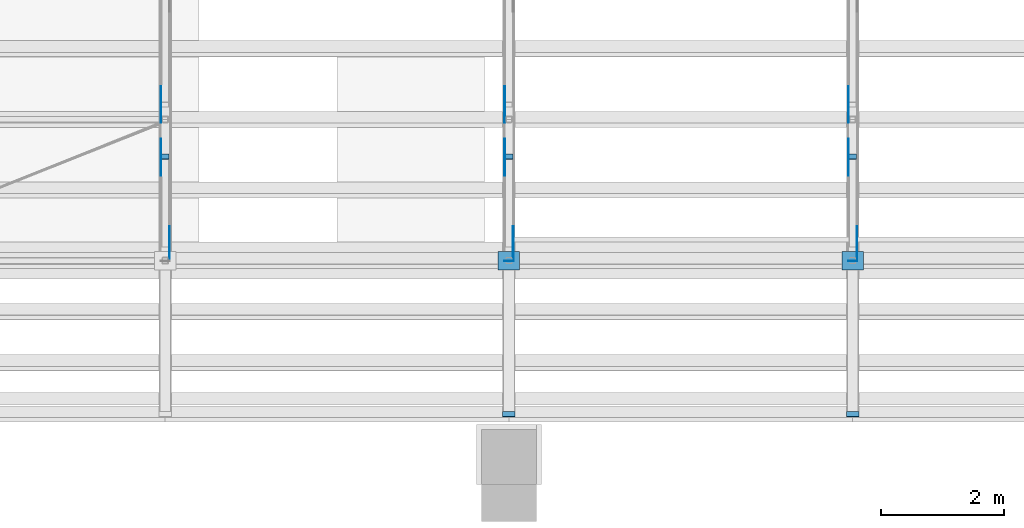
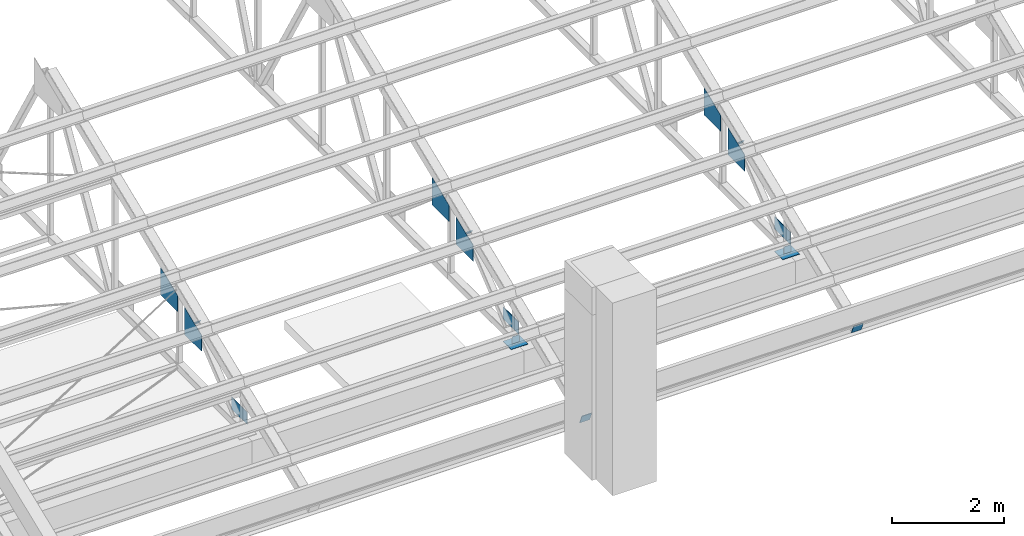
# One storey, part 52 of 71: 18 discrete accessories.
"""IFC4 building model written with IfcOpenShell, lengths in metres."""

import ifcopenshell
import ifcopenshell.guid

model = None  # the IFC model being written
_history = None  # IfcOwnerHistory: only IFC2X3 demands one
_inside = {}  # id of a spatial element -> (the spatial element, [elements in it])
_under = {}  # id of a project, library or spatial element -> (it, [spatial elements below it])
_declared = {}  # id of a project -> (the project, [libraries it declares])
_typed = {}  # id of a type object -> (the type object, [elements of that type])
_made_of = {}  # id of a material, layer set ... -> (it, [elements and type objects made of it])


def new_model(schema):
    """Start an empty IFC model of exactly this schema.

    Asked for "IFC4X3", IfcOpenShell would pick the latest addendum, in which some entities
    have other attributes; the version numbers below select the first issue.
    IFC2X3 requires an IfcOwnerHistory on every rooted entity: one is made here for all.
    """
    global model, _history
    if schema == "IFC4X3":
        model = ifcopenshell.file(schema_version=(4, 3, 0, 0))
    else:
        model = ifcopenshell.file(schema=schema)
    _inside.clear()
    _under.clear()
    _declared.clear()
    _typed.clear()
    _made_of.clear()
    _history = None
    if model.schema == "IFC2X3":
        org = make("IfcOrganization", Name="unknown")
        user = make(
            "IfcPersonAndOrganization",
            ThePerson=make("IfcPerson", FamilyName="unknown"),
            TheOrganization=org,
        )
        app = make(
            "IfcApplication",
            ApplicationDeveloper=org,
            Version="unknown",
            ApplicationFullName="unknown",
            ApplicationIdentifier="unknown",
        )
        _history = make(
            "IfcOwnerHistory",
            OwningUser=user,
            OwningApplication=app,
            ChangeAction="ADDED",
            CreationDate=0,
        )
    return model


def make(cls, **values):
    """One entity of the class cls with the attributes given. An attribute that is None is left unset."""
    return model.create_entity(
        cls, **{name: value for name, value in values.items() if value is not None}
    )


def rooted(cls, **values):
    """An entity with a GlobalId (a new one), such as an element, a storey or a relation."""
    return make(cls, GlobalId=ifcopenshell.guid.new(), OwnerHistory=_history, **values)


def si_unit(unit_type, name, prefix=None):
    """IfcSIUnit, for example si_unit("LENGTHUNIT", "METRE", prefix="MILLI")."""
    return make("IfcSIUnit", UnitType=unit_type, Prefix=prefix, Name=name)


def assignment(units):
    """IfcUnitAssignment: the units of a project."""
    return None if units is None else make("IfcUnitAssignment", Units=units)


def point(xyz):
    """IfcCartesianPoint."""
    return None if xyz is None else make("IfcCartesianPoint", Coordinates=xyz)


def direction(xyz):
    """IfcDirection."""
    return None if xyz is None else make("IfcDirection", DirectionRatios=xyz)


def frame(location, z_axis=None, x_axis=None):
    """IfcAxis2Placement3D, a coordinate frame: its origin and axes. An axis left out is left unset."""
    return make(
        "IfcAxis2Placement3D",
        Location=point(location),
        Axis=direction(z_axis),
        RefDirection=direction(x_axis),
    )


def frame_2d(location, x_axis=None):
    """IfcAxis2Placement2D, a coordinate frame in the plane: its origin and x axis."""
    return make(
        "IfcAxis2Placement2D", Location=point(location), RefDirection=direction(x_axis)
    )


def origin():
    """The frame at (0, 0, 0) with its axes left unset."""
    return frame((0.0, 0.0, 0.0))


def origin_2d():
    """The frame at (0, 0) in the plane with its x axis left unset."""
    return frame_2d((0.0, 0.0))


def place(relative_to, where):
    """IfcLocalPlacement: puts the frame where relative to a parent placement (None: the world)."""
    return make(
        "IfcLocalPlacement", PlacementRelTo=relative_to, RelativePlacement=where
    )


def context(
    kind, dimensions, precision=None, world=None, true_north=None, identifier=None
):
    """IfcGeometricRepresentationContext, for example the 3D "Model" context."""
    return make(
        "IfcGeometricRepresentationContext",
        ContextIdentifier=identifier,
        ContextType=kind,
        CoordinateSpaceDimension=dimensions,
        Precision=precision,
        WorldCoordinateSystem=world,
        TrueNorth=true_north,
    )


def subcontext(parent, identifier, kind, view, scale=None):
    """IfcGeometricRepresentationSubContext, for example "Body" below "Model"."""
    return make(
        "IfcGeometricRepresentationSubContext",
        ContextIdentifier=identifier,
        ContextType=kind,
        ParentContext=parent,
        TargetScale=scale,
        TargetView=view,
    )


def project(units=None, contexts=None):
    """IfcProject with its units and contexts."""
    return rooted(
        "IfcProject",
        Name="project",
        RepresentationContexts=contexts,
        UnitsInContext=assignment(units),
    )


def spatial(cls, under=None, at=None, **own):
    """A site, building, storey or space (cls), placed at a placement, below another one or the project."""
    s = rooted(cls, ObjectPlacement=at, **own)
    if under is not None:
        _under.setdefault(under.id(), (under, []))[1].append(s)
    return s


def polyline(points):
    """IfcPolyline through the points."""
    return make("IfcPolyline", Points=[point(p) for p in points])


def profile(cls, at=None, kind="AREA", **sizes):
    """A parametric profile (cls). Its sizes go by their IFC names, for example OverallWidth=200.0."""
    return make(cls, ProfileType=kind, Position=at, **sizes)


def rectangle(**sizes):
    """IfcRectangleProfileDef."""
    return profile("IfcRectangleProfileDef", **sizes)


def outline(outer, holes=None, kind="AREA"):
    """IfcArbitraryClosedProfileDef: a profile drawn as a closed curve; with holes, ...WithVoids."""
    if holes is None:
        return make("IfcArbitraryClosedProfileDef", ProfileType=kind, OuterCurve=outer)
    return make(
        "IfcArbitraryProfileDefWithVoids",
        ProfileType=kind,
        OuterCurve=outer,
        InnerCurves=holes,
    )


def extrude(swept, where, along, depth):
    """IfcExtrudedAreaSolid: the profile swept, set in the frame where, extruded along a direction by depth."""
    return make(
        "IfcExtrudedAreaSolid",
        SweptArea=swept,
        Position=where,
        ExtrudedDirection=direction(along),
        Depth=depth,
    )


def shape(context_of_items, identifier, shape_type, items):
    """IfcShapeRepresentation: the items that make up one representation, for example the "Body"."""
    return make(
        "IfcShapeRepresentation",
        ContextOfItems=context_of_items,
        RepresentationIdentifier=identifier,
        RepresentationType=shape_type,
        Items=items,
    )


def made_of(thing, what):
    """Note that an element or type object is made of a material, layer set ...; save() writes the relation."""
    if what is not None:
        _made_of.setdefault(what.id(), (what, []))[1].append(thing)
    return thing


def element(
    cls,
    number,
    at=None,
    inside=None,
    cuts=None,
    type_object=None,
    material=None,
    context=None,
    identifier="Body",
    shape_type=None,
    held_by="IfcProductDefinitionShape",
    body=None,
    shapes=None,
    **own,
):
    """One element of the class cls, such as IfcWall. Its Tag is "e" and its number.

    at: its placement. inside: the storey or other place that contains it. cuts: it is an
    opening in that element (IfcRelVoidsElement). A single representation is given by context,
    identifier, shape_type and body (its items); several are given by shapes. held_by: the class
    of the entity that holds the representations. save() writes the other relations.
    """
    e = rooted(cls, Tag="e%d" % number, ObjectPlacement=at, **own)
    if body is not None:
        shapes = [shape(context, identifier, shape_type, body)]
    if shapes is not None:
        e.Representation = make(held_by, Representations=shapes)
    if inside is not None:
        _inside.setdefault(inside.id(), (inside, []))[1].append(e)
    if cuts is not None:
        rooted(
            "IfcRelVoidsElement", RelatingBuildingElement=cuts, RelatedOpeningElement=e
        )
    if type_object is not None:
        _typed.setdefault(type_object.id(), (type_object, []))[1].append(e)
    return made_of(e, material)


def aggregate(whole, parts):
    """IfcRelAggregates: a whole, such as a stair, and the parts it consists of."""
    return rooted("IfcRelAggregates", RelatingObject=whole, RelatedObjects=parts)


def save(model, path):
    """Write the relations noted so far, then the file.

    IfcRelAggregates (storeys below a building ...), IfcRelContainedInSpatialStructure (elements
    in a storey), IfcRelDefinesByType, IfcRelAssociatesMaterial and IfcRelDeclares: one each for
    every whole, place, type object, material and project.
    """
    for whole, parts in _under.values():
        aggregate(whole, parts)
    for where, things in _inside.values():
        rooted(
            "IfcRelContainedInSpatialStructure",
            RelatedElements=things,
            RelatingStructure=where,
        )
    for kind, things in _typed.values():
        rooted("IfcRelDefinesByType", RelatedObjects=things, RelatingType=kind)
    for what, things in _made_of.values():
        rooted("IfcRelAssociatesMaterial", RelatedObjects=things, RelatingMaterial=what)
    for by, libraries in _declared.values():
        rooted("IfcRelDeclares", RelatingContext=by, RelatedDefinitions=libraries)
    model.write(path)


model = new_model("IFC4")

# Units and contexts
model_context = context("Model", 3, precision=1e-05, world=origin(), true_north=direction((0.0, 1.0)))
body_context = subcontext(model_context, "Body", "Model", "MODEL_VIEW")
ifc_project = project(units=[si_unit("LENGTHUNIT", "METRE"), si_unit("AREAUNIT", "SQUARE_METRE"), si_unit("VOLUMEUNIT", "CUBIC_METRE"), si_unit("PLANEANGLEUNIT", "RADIAN"), si_unit("MASSUNIT", "GRAM", prefix="KILO")], contexts=[model_context])

# Site, building, storey
site_placement = place(None, origin())
site = spatial("IfcSite", under=ifc_project, at=site_placement, CompositionType="ELEMENT")
building_placement = place(site_placement, origin())
building = spatial("IfcBuilding", under=site, at=building_placement, Name="Wasatch Bagh Community Centre", CompositionType="ELEMENT")
storey_placement = place(building_placement, frame((0.0, 0.0, 12.60009765625)))
storey = spatial("IfcBuildingStorey", under=building, at=storey_placement, Name="L03", CompositionType="ELEMENT", Elevation=12.60009765625)

# Discrete accessories
discrete_accessory_1_placement = place(storey_placement, frame((117.800048828125, 39.885009765625, 1.971923828125), z_axis=(0.0, 0.774865020772, 0.632126727472), x_axis=(-1.0, 0.0, 0.0)))
element("IfcDiscreteAccessory", 1, at=discrete_accessory_1_placement, inside=storey, Name="SH.SA2.WB01.EPB", PredefinedType="NOTDEFINED", context=body_context, shape_type="SweptSolid", body=[
    extrude(rectangle(XDim=0.126953125, YDim=0.126953125, at=origin_2d()), origin(), (0.0, 0.0, 1.0), 0.011962890625),
])
discrete_accessory_2_placement = place(storey_placement, frame((123.39990234375, 35.68896484375, 0.48583984375), z_axis=(0.0, 0.928476690885, 0.371390676354), x_axis=(-1.0, 0.0, 0.0)))
element("IfcDiscreteAccessory", 2, at=discrete_accessory_2_placement, inside=storey, Name="SH.SA3.TC01.EPA", PredefinedType="NOTDEFINED", context=body_context, shape_type="SweptSolid", body=[
    extrude(rectangle(XDim=0.203125, YDim=0.203125, at=origin_2d()), origin(), (0.0, 0.0, 1.0), 0.01171875),
])
discrete_accessory_3_placement = place(storey_placement, frame((123.39990234375, 38.18798828125, 0.68603515625), z_axis=(0.0, 1.0, 0.0), x_axis=(-1.0, 0.0, 0.0)))
element("IfcDiscreteAccessory", 3, at=discrete_accessory_3_placement, inside=storey, Name="SH.SA3.BC01.EPA", PredefinedType="NOTDEFINED", context=body_context, shape_type="SweptSolid", body=[
    extrude(rectangle(XDim=0.15234375, YDim=0.15234375, at=origin_2d()), origin(), (0.0, 0.0, 1.0), 0.011962890625),
])
discrete_accessory_4_placement = place(storey_placement, frame((123.39990234375, 39.885009765625, 1.971923828125), z_axis=(0.0, 0.774865020772, 0.632126727472), x_axis=(-1.0, 0.0, 0.0)))
element("IfcDiscreteAccessory", 4, at=discrete_accessory_4_placement, inside=storey, Name="SH.SA3.WB01.EPB", PredefinedType="NOTDEFINED", context=body_context, shape_type="SweptSolid", body=[
    extrude(rectangle(XDim=0.126953125, YDim=0.126953125, at=origin_2d()), origin(), (0.0, 0.0, 1.0), 0.011962890625),
])
discrete_accessory_5_placement = place(storey_placement, frame((129.0, 35.68896484375, 0.48583984375), z_axis=(0.0, 0.928476690885, 0.371390676354), x_axis=(-1.0, 0.0, 0.0)))
element("IfcDiscreteAccessory", 5, at=discrete_accessory_5_placement, inside=storey, Name="SH.SA4.TC01.EPA", PredefinedType="NOTDEFINED", context=body_context, shape_type="SweptSolid", body=[
    extrude(rectangle(XDim=0.203125, YDim=0.203125, at=origin_2d()), origin(), (0.0, 0.0, 1.0), 0.01171875),
])
discrete_accessory_6_placement = place(storey_placement, frame((129.0, 38.18798828125, 0.68603515625), z_axis=(0.0, 1.0, 0.0), x_axis=(-1.0, 0.0, 0.0)))
element("IfcDiscreteAccessory", 6, at=discrete_accessory_6_placement, inside=storey, Name="SH.SA4.BC01.EPA", PredefinedType="NOTDEFINED", context=body_context, shape_type="SweptSolid", body=[
    extrude(rectangle(XDim=0.15234375, YDim=0.15234375, at=origin_2d()), origin(), (0.0, 0.0, 1.0), 0.011962890625),
])
discrete_accessory_7_placement = place(storey_placement, frame((129.0, 39.885009765625, 1.971923828125), z_axis=(0.0, 0.774865020772, 0.632126727472), x_axis=(-1.0, 0.0, 0.0)))
element("IfcDiscreteAccessory", 7, at=discrete_accessory_7_placement, inside=storey, Name="SH.SA4.WB01.EPB", PredefinedType="NOTDEFINED", context=body_context, shape_type="SweptSolid", body=[
    extrude(rectangle(XDim=0.126953125, YDim=0.126953125, at=origin_2d()), origin(), (0.0, 0.0, 1.0), 0.011962890625),
])
discrete_accessory_8_placement = place(storey_placement, frame((117.8759765625, 38.199951171875, 0.7626953125), z_axis=(1.0, 0.0, 0.0), x_axis=(0.0, 1.0, 0.0)))
element("IfcDiscreteAccessory", 8, at=discrete_accessory_8_placement, inside=storey, Name="Gusset plate", PredefinedType="BRACKET", context=body_context, shape_type="SweptSolid", body=[
    extrude(outline(polyline([(0.0, 0.0), (0.55859375, 0.0), (0.55859375, 0.264892578125), (0.0, 0.264892578125), (0.0, 0.0)])), origin(), (0.0, 0.0, -1.0), 0.011962890625),
])
discrete_accessory_9_placement = place(storey_placement, frame((117.72412109375, 39.5849609375, 1.91455078125), z_axis=(-1.0, 0.0, 0.0), x_axis=(0.0, 0.926014333695, 0.377488349212)))
element("IfcDiscreteAccessory", 9, at=discrete_accessory_9_placement, inside=storey, Name="Gusset plate", PredefinedType="BRACKET", context=body_context, shape_type="SweptSolid", body=[
    extrude(outline(polyline([(0.0, 0.0), (0.6480435932943203, 2.7755575615628914e-17), (0.4236334052252534, 0.5504992437861941), (-0.13206562607924965, 0.3239693701624707), (0.0, 0.0)])), origin(), (0.0, 0.0, -1.0), 0.011962890625),
])
discrete_accessory_10_placement = place(storey_placement, frame((117.72412109375, 40.44140625, 2.263671875), z_axis=(-1.0, 0.0, 0.0), x_axis=(0.0, 0.92713862273, 0.374718526687)))
element("IfcDiscreteAccessory", 10, at=discrete_accessory_10_placement, inside=storey, Name="Gusset plate", PredefinedType="BRACKET", context=body_context, shape_type="SweptSolid", body=[
    extrude(outline(polyline([(0.0, 0.0), (0.06319847816011198, 0.0), (0.6477228616360075, -0.0018023294149140112), (0.4249592843698544, 0.5493652844394852), (-0.1311880779464737, 0.3245890588366359), (0.0, 0.0)])), origin(), (0.0, 0.0, -1.0), 0.011962890625),
])
discrete_accessory_11_placement = place(storey_placement, frame((123.47607421875, 38.199951171875, 0.7626953125), z_axis=(1.0, 0.0, 0.0), x_axis=(0.0, 1.0, 0.0)))
element("IfcDiscreteAccessory", 11, at=discrete_accessory_11_placement, inside=storey, Name="Gusset plate", PredefinedType="BRACKET", context=body_context, shape_type="SweptSolid", body=[
    extrude(outline(polyline([(0.0, 0.0), (0.55859375, 0.0), (0.55859375, 0.264892578125), (0.0, 0.264892578125), (0.0, 0.0)])), origin(), (0.0, 0.0, -1.0), 0.011962890625),
])
discrete_accessory_12_placement = place(storey_placement, frame((123.323974609375, 39.5849609375, 1.91455078125), z_axis=(-1.0, 0.0, 0.0), x_axis=(0.0, 0.926014333695, 0.377488349212)))
element("IfcDiscreteAccessory", 12, at=discrete_accessory_12_placement, inside=storey, Name="Gusset plate", PredefinedType="BRACKET", context=body_context, shape_type="SweptSolid", body=[
    extrude(outline(polyline([(0.0, 0.0), (0.6480435932943203, 2.7755575615628914e-17), (0.4236334052252534, 0.5504992437861941), (-0.13206562607924965, 0.3239693701624707), (0.0, 0.0)])), origin(), (0.0, 0.0, -1.0), 0.011962890625),
])
discrete_accessory_13_placement = place(storey_placement, frame((123.323974609375, 40.44140625, 2.263671875), z_axis=(-1.0, 0.0, 0.0), x_axis=(0.0, 0.92713862273, 0.374718526687)))
element("IfcDiscreteAccessory", 13, at=discrete_accessory_13_placement, inside=storey, Name="Gusset plate", PredefinedType="BRACKET", context=body_context, shape_type="SweptSolid", body=[
    extrude(outline(polyline([(0.0, 0.0), (0.06319847816011198, 0.0), (0.6477228616360075, -0.0018023294149140112), (0.4249592843698544, 0.5493652844394852), (-0.1311880779464737, 0.3245890588366359), (0.0, 0.0)])), origin(), (0.0, 0.0, -1.0), 0.011962890625),
])
discrete_accessory_14_placement = place(storey_placement, frame((129.075927734375, 38.199951171875, 0.7626953125), z_axis=(1.0, 0.0, 0.0), x_axis=(0.0, 1.0, 0.0)))
element("IfcDiscreteAccessory", 14, at=discrete_accessory_14_placement, inside=storey, Name="Gusset plate", PredefinedType="BRACKET", context=body_context, shape_type="SweptSolid", body=[
    extrude(outline(polyline([(0.0, 0.0), (0.55859375, 0.0), (0.55859375, 0.264892578125), (0.0, 0.264892578125), (0.0, 0.0)])), origin(), (0.0, 0.0, -1.0), 0.011962890625),
])
discrete_accessory_15_placement = place(storey_placement, frame((128.924072265625, 39.5849609375, 1.91455078125), z_axis=(-1.0, 0.0, 0.0), x_axis=(0.0, 0.926014333695, 0.377488349212)))
element("IfcDiscreteAccessory", 15, at=discrete_accessory_15_placement, inside=storey, Name="Gusset plate", PredefinedType="BRACKET", context=body_context, shape_type="SweptSolid", body=[
    extrude(outline(polyline([(0.0, 0.0), (0.6480435932943203, 2.7755575615628914e-17), (0.4236334052252534, 0.5504992437861941), (-0.13206562607924965, 0.3239693701624707), (0.0, 0.0)])), origin(), (0.0, 0.0, -1.0), 0.011962890625),
])
discrete_accessory_16_placement = place(storey_placement, frame((128.924072265625, 40.44140625, 2.263671875), z_axis=(-1.0, 0.0, 0.0), x_axis=(0.0, 0.92713862273, 0.374718526687)))
element("IfcDiscreteAccessory", 16, at=discrete_accessory_16_placement, inside=storey, Name="Gusset plate", PredefinedType="BRACKET", context=body_context, shape_type="SweptSolid", body=[
    extrude(outline(polyline([(0.0, 0.0), (0.06319847816011198, 0.0), (0.6477228616360075, -0.0018023294149140112), (0.4249592843698544, 0.5493652844394852), (-0.1311880779464737, 0.3245890588366359), (0.0, 0.0)])), origin(), (0.0, 0.0, -1.0), 0.011962890625),
])
for number, where, z_axis, x_axis, name in (
    (17, (123.39990234375, 38.199951171875, 0.60009765625), (0.0, 0.0, 1.0), (1.0, 0.0, 0.0), "Bearing plate"),
    (18, (129.0, 38.199951171875, 0.60009765625), (0.0, 0.0, 1.0), (1.0, 0.0, 0.0), "Bearing plate"),
):
    element("IfcDiscreteAccessory", number, at=place(storey_placement, frame(where, z_axis=z_axis, x_axis=x_axis)), inside=storey, Name=name, PredefinedType="BRACKET", context=body_context, shape_type="SweptSolid", body=[
        extrude(rectangle(XDim=0.35009765625, YDim=0.300048828125, at=origin_2d()), origin(), (0.0, 0.0, 1.0), 0.010009765625),
    ])

save(model, "model.ifc")
